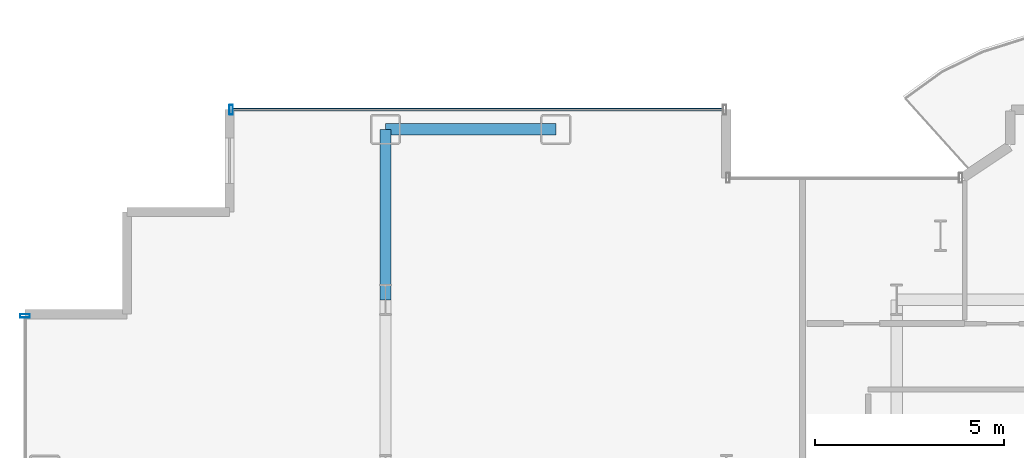
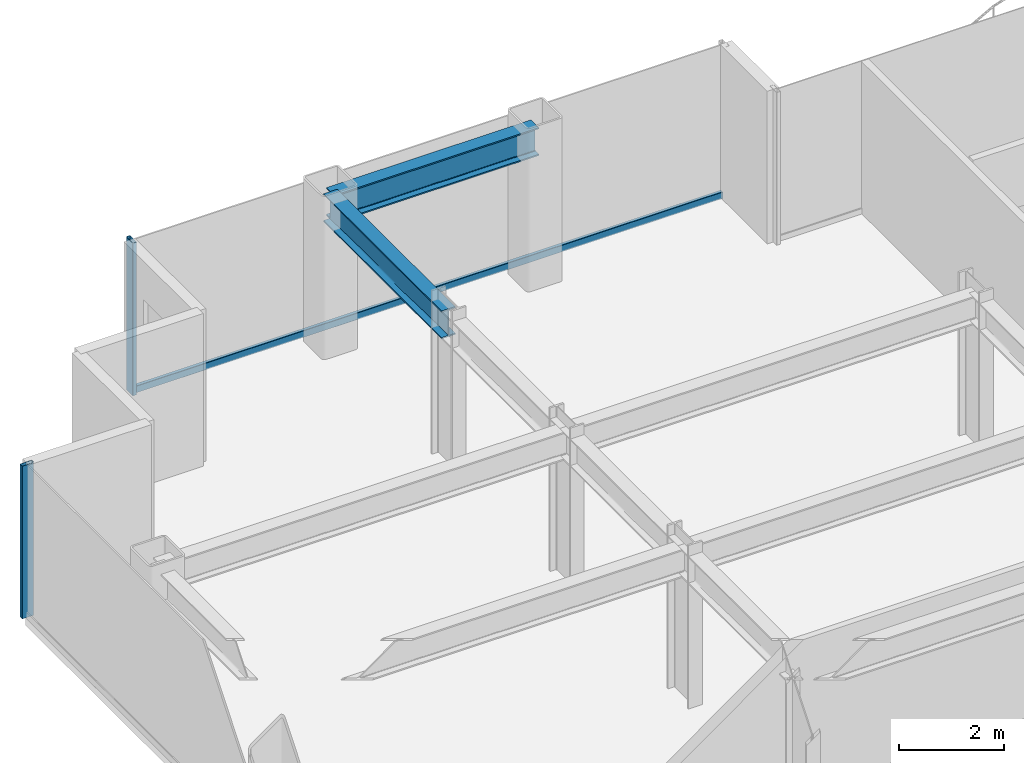
# One storey, part 10 of 23: 3 members, 2 beams, 2 elements without a shape of their own.
"""IFC4 building model written with IfcOpenShell, lengths in metres."""

from ifc_helpers import new_model, si_unit, direction, frame, origin, origin_2d, place, context, subcontext, project, spatial, hollow_rectangle, i_section, extrude, source, transform, mapped, material, layer, layer_set, material_profile, profile_set, type_object, element, aggregate, save


model = new_model("IFC4")

# Units and contexts
model_context = context("Model", 3, precision=1e-05, world=origin(), true_north=direction((0.0, 1.0)))
body_context = subcontext(model_context, "Body", "Model", "MODEL_VIEW")
ifc_project = project(units=[si_unit("LENGTHUNIT", "METRE"), si_unit("AREAUNIT", "SQUARE_METRE"), si_unit("VOLUMEUNIT", "CUBIC_METRE"), si_unit("PLANEANGLEUNIT", "RADIAN"), si_unit("MASSUNIT", "GRAM", prefix="KILO")], contexts=[model_context])

# Site, building, storey
site_placement = place(None, origin())
site = spatial("IfcSite", under=ifc_project, at=site_placement, CompositionType="ELEMENT")
building_placement = place(site_placement, origin())
building = spatial("IfcBuilding", under=site, at=building_placement, Name="Nefas-Gora Pilgrimage Tower", CompositionType="ELEMENT")
storey_placement = place(building_placement, frame((0.0, 0.0, 156.39990234375)))
storey = spatial("IfcBuildingStorey", under=building, at=storey_placement, Name="L38", CompositionType="ELEMENT", Elevation=156.39990234375)

# Beams
ifc_material_1 = material(Name="Steel S355", Category="steel")
ifc_material_profile_1 = material_profile(ifc_material_1, i_section(OverallWidth=0.300048828125, OverallDepth=0.64990234375, WebThickness=0.01611328125, FlangeThickness=0.031005859375, FilletRadius=0.027099609375, at=origin_2d()), Name="HEB 650")
ifc_profile_set_1 = profile_set([ifc_material_profile_1], Name="Steel S355")
beam_type_1 = type_object("IfcBeamType", Name="BM-SPN-HEB500", PredefinedType="SPANDREL", material=ifc_profile_set_1)
shared_shape_1 = source(origin(), body_context, "Body", "SweptSolid", [
    extrude(i_section(OverallWidth=0.300048828125, OverallDepth=0.64990234375, WebThickness=0.01611328125, FlangeThickness=0.031005859375, FilletRadius=0.027099609375, at=origin_2d()), origin(), (0.0, 0.0, 1.0), 4.5),
])
beam_1_placement = place(storey_placement, frame((-24.75, 22.5, 3.22509765625), z_axis=(1.0, 0.0, 0.0), x_axis=(0.0, 1.0, 0.0)))
element("IfcBeam", 1, at=beam_1_placement, inside=storey, type_object=beam_type_1, Name="L38 SP-02 beam", PredefinedType="SPANDREL", context=body_context, shape_type="MappedRepresentation", body=[
    mapped(shared_shape_1, transform((0.0, 0.0, 0.0), x_axis=(1.0, 0.0, 0.0), y_axis=(0.0, 1.0, 0.0), z_axis=(0.0, 0.0, 1.0), scale=1.0)),
])
ifc_material_profile_2 = material_profile(ifc_material_1, i_section(OverallWidth=0.300048828125, OverallDepth=0.64990234375, WebThickness=0.01611328125, FlangeThickness=0.031005859375, FilletRadius=0.027099609375, at=origin_2d()), Name="HEB 650")
ifc_profile_set_2 = profile_set([ifc_material_profile_2], Name="Steel S355")
beam_type_2 = type_object("IfcBeamType", Name="BM-GIR-HEB650", PredefinedType="BEAM", material=ifc_profile_set_2)
shared_shape_2 = source(origin(), body_context, "Body", "SweptSolid", [
    extrude(i_section(OverallWidth=0.300048828125, OverallDepth=0.64990234375, WebThickness=0.01611328125, FlangeThickness=0.031005859375, FilletRadius=0.027099609375, at=origin_2d()), origin(), (0.0, 0.0, 1.0), 4.5),
])
beam_2_placement = place(storey_placement, frame((-24.75, 18.0, 3.22509765625), z_axis=(0.0, 1.0, 0.0), x_axis=(-1.0, 0.0, 0.0)))
element("IfcBeam", 2, at=beam_2_placement, inside=storey, type_object=beam_type_2, Name="L38 G-03 beam", PredefinedType="BEAM", context=body_context, shape_type="MappedRepresentation", body=[
    mapped(shared_shape_2, transform((0.0, 0.0, 0.0), x_axis=(1.0, 0.0, 0.0), y_axis=(0.0, 1.0, 0.0), z_axis=(0.0, 0.0, 1.0), scale=1.0)),
])

# Curtain wall, member
ifc_material_2 = material(Name="Dark ceramic-fritted solar-control aluminium-glass curtain wall", Category="aluminium")
ifc_layer = layer(ifc_material_2, 0.219970703125)
ifc_layer_set = layer_set([ifc_layer], Name="Dark ceramic-fritted solar-control aluminium-glass curtain wall")
curtain_wall_type = type_object("IfcCurtainWallType", Name="CW-SYS-3", PredefinedType="NOTDEFINED", material=ifc_layer_set)
curtain_wall_1_placement = place(storey_placement, origin())
curtain_wall_1 = element("IfcCurtainWall", 3, at=curtain_wall_1_placement, inside=storey, type_object=curtain_wall_type, Name="L38 Unitised Curtain Wall CW3", PredefinedType="NOTDEFINED")
ifc_material_3 = material(Name="Anodised architectural aluminium", Category="aluminium")
ifc_material_profile_3 = material_profile(ifc_material_3, hollow_rectangle(XDim=0.090087890625, YDim=0.260009765625, WallThickness=0.006103515625, InnerFilletRadius=0.006103515625, OuterFilletRadius=0.011962890625, at=origin_2d()), Name="ALU MULLION 90x260")
ifc_profile_set_3 = profile_set([ifc_material_profile_3], Name="Anodised architectural aluminium")
member_type_1 = type_object("IfcMemberType", Name="CWM-MUL-3", PredefinedType="MULLION", material=ifc_profile_set_3)
shared_shape_3 = source(origin(), body_context, "Body", "SweptSolid", [
    extrude(hollow_rectangle(XDim=0.090087890625, YDim=0.260009765625, WallThickness=0.006103515625, InnerFilletRadius=0.006103515625, OuterFilletRadius=0.011962890625, at=origin_2d()), origin(), (0.0, 0.0, 1.0), 3.550048828125),
])
member_1_placement = place(storey_placement, frame((-28.824951171875, 23.02001953125, 0.0), z_axis=(0.0, 0.0, 1.0), x_axis=(-1.0, 0.0, 0.0)))
member_1 = element("IfcMember", 4, at=member_1_placement, type_object=member_type_1, Name="CW3 Mullion 2", PredefinedType="MULLION", context=body_context, shape_type="MappedRepresentation", body=[
    mapped(shared_shape_3, transform((0.0, 0.0, 0.0), x_axis=(1.0, 0.0, 0.0), y_axis=(0.0, 1.0, 0.0), z_axis=(0.0, 0.0, 1.0), scale=1.0)),
])

curtain_wall_2_placement = place(storey_placement, origin())
curtain_wall_2 = element("IfcCurtainWall", 5, at=curtain_wall_2_placement, inside=storey, type_object=curtain_wall_type, Name="L38 Unitised Curtain Wall CW3", PredefinedType="NOTDEFINED")
member_2_placement = place(storey_placement, frame((-34.27001953125, 17.574951171875, 0.0), z_axis=(0.0, 0.0, 1.0), x_axis=(0.0, -1.0, 0.0)))
member_2 = element("IfcMember", 6, at=member_2_placement, type_object=member_type_1, Name="CW3 Mullion 1", PredefinedType="MULLION", context=body_context, shape_type="MappedRepresentation", body=[
    mapped(shared_shape_3, transform((0.0, 0.0, 0.0), x_axis=(1.0, 0.0, 0.0), y_axis=(0.0, 1.0, 0.0), z_axis=(0.0, 0.0, 1.0), scale=1.0)),
])
aggregate(curtain_wall_2, [member_2])

# Member
ifc_material_profile_4 = material_profile(ifc_material_3, hollow_rectangle(XDim=0.080078125, YDim=0.159912109375, WallThickness=0.00439453125, InnerFilletRadius=0.00439453125, OuterFilletRadius=0.009033203125, at=origin_2d()), Name="ALU TRANSOM 80x160")
ifc_profile_set_4 = profile_set([ifc_material_profile_4], Name="Anodised architectural aluminium")
member_type_2 = type_object("IfcMemberType", Name="CWM-TRN-3", PredefinedType="USERDEFINED", material=ifc_profile_set_4)
shared_shape_4 = source(origin(), body_context, "Body", "SweptSolid", [
    extrude(hollow_rectangle(XDim=0.080078125, YDim=0.159912109375, WallThickness=0.00439453125, InnerFilletRadius=0.00439453125, OuterFilletRadius=0.009033203125, at=origin_2d()), origin(), (0.0, 0.0, 1.0), 12.93994140625),
])
member_3_placement = place(storey_placement, frame((-15.840087890625, 23.02001953125, 0.050048828125), z_axis=(-1.0, 0.0, 0.0), x_axis=(0.0, -1.0, 0.0)))
member_3 = element("IfcMember", 7, at=member_3_placement, type_object=member_type_2, Name="CW3 Spandrel Transom", ObjectType="TRANSOM", PredefinedType="USERDEFINED", context=body_context, shape_type="MappedRepresentation", body=[
    mapped(shared_shape_4, transform((0.0, 0.0, 0.0), x_axis=(1.0, 0.0, 0.0), y_axis=(0.0, 1.0, 0.0), z_axis=(0.0, 0.0, 1.0), scale=1.0)),
])

aggregate(curtain_wall_1, [member_1, member_3])

save(model, "model.ifc")
